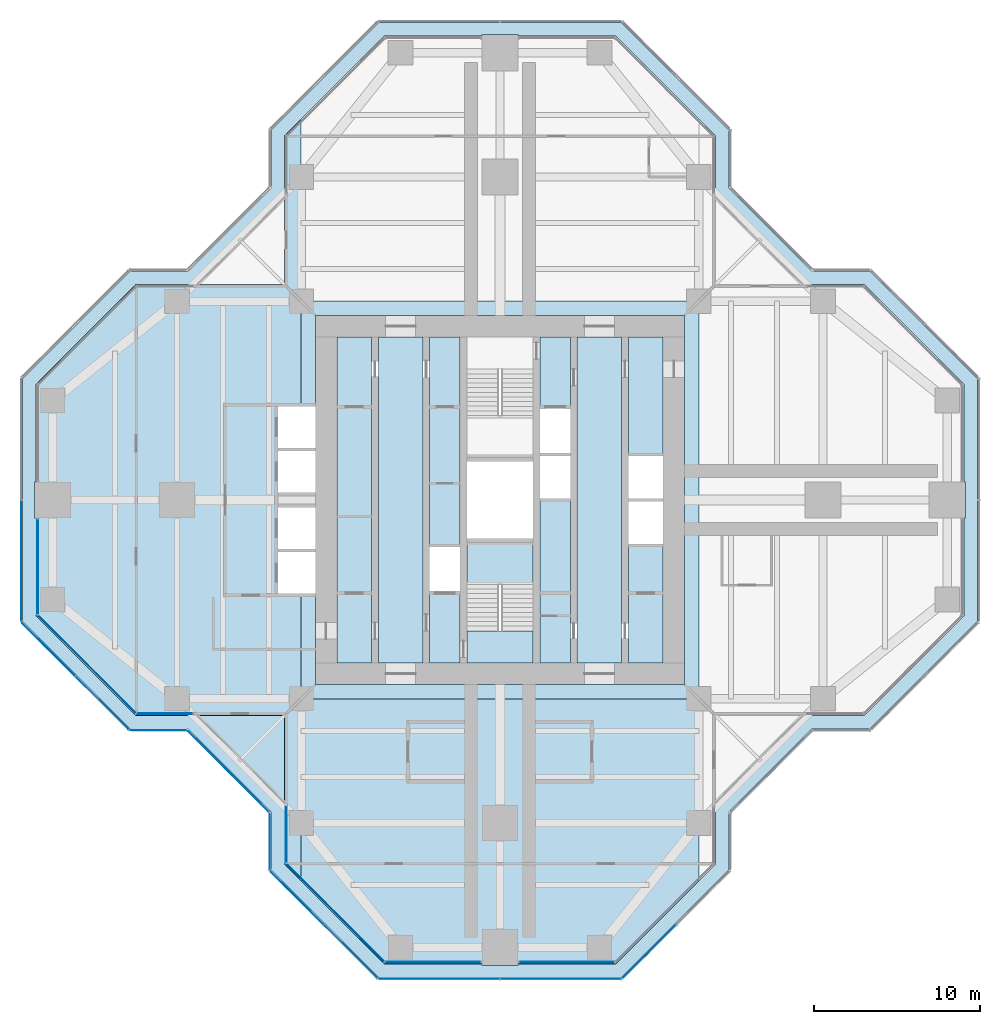
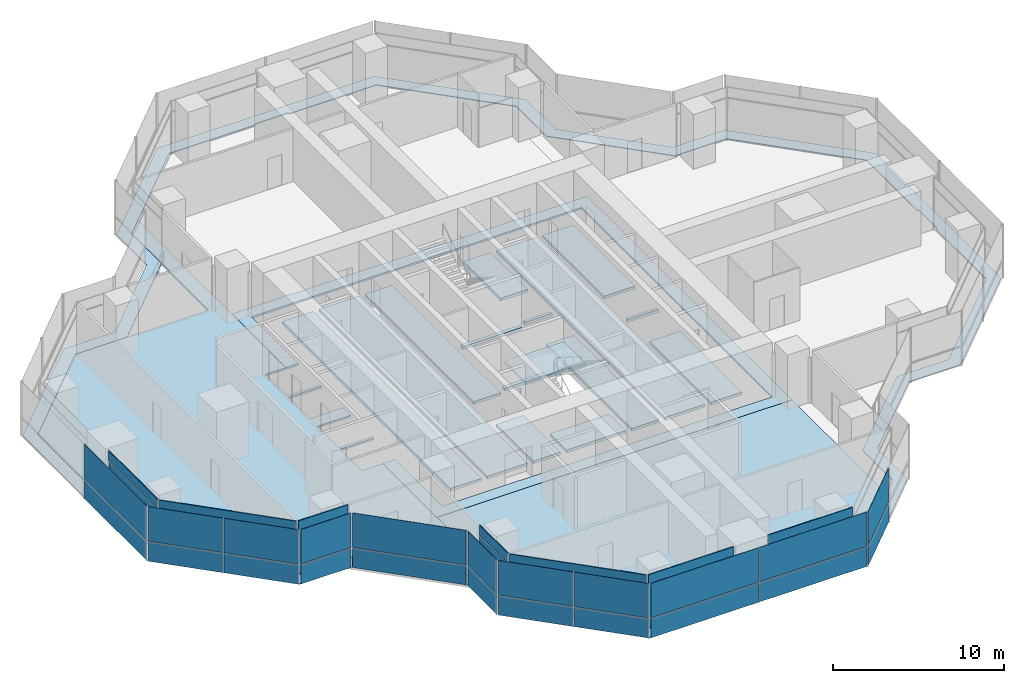
# One storey, part 10 of 17: 37 plates, 7 slabs, 16 elements without a shape of their own.
"""IFC4 building model written with IfcOpenShell, lengths in metres."""

from ifc_helpers import new_model, si_unit, direction, frame, origin, origin_2d, place, context, subcontext, project, spatial, polyline, rectangle, outline, extrude, material, layer, layer_set, type_object, element, aggregate, save


model = new_model("IFC4")

# Units and contexts
model_context = context("Model", 3, precision=1e-05, world=origin(), true_north=direction((0.0, 1.0)))
body_context = subcontext(model_context, "Body", "Model", "MODEL_VIEW")
ifc_project = project(units=[si_unit("LENGTHUNIT", "METRE"), si_unit("AREAUNIT", "SQUARE_METRE"), si_unit("VOLUMEUNIT", "CUBIC_METRE"), si_unit("PLANEANGLEUNIT", "RADIAN"), si_unit("MASSUNIT", "GRAM", prefix="KILO")], contexts=[model_context])

# Site, building, storey
site_placement = place(None, origin())
site = spatial("IfcSite", under=ifc_project, at=site_placement, CompositionType="ELEMENT")
building_placement = place(site_placement, origin())
building = spatial("IfcBuilding", under=site, at=building_placement, Name="Mizan Broadcast Tower", CompositionType="ELEMENT")
storey_placement = place(building_placement, frame((0.0, 0.0, 220.5)))
storey = spatial("IfcBuildingStorey", under=building, at=storey_placement, Name="L51", CompositionType="ELEMENT", Elevation=220.5)

# Plate
ifc_material_1 = material(Name="Aluminium grating", Category="aluminium")
ifc_layer_1 = layer(ifc_material_1, 0.050048828125)
ifc_layer_set_1 = layer_set([ifc_layer_1], Name="Aluminium grating")
plate_type_1 = type_object("IfcPlateType", Name="CAVITY GRATING", PredefinedType="USERDEFINED", material=ifc_layer_set_1)
plate_1_placement = place(storey_placement, frame((0.0, 0.0, -0.050048828125)))
element("IfcPlate", 1, at=plate_1_placement, inside=storey, type_object=plate_type_1, Name="Cavity grating L51", ObjectType="GRATING", PredefinedType="USERDEFINED", context=body_context, shape_type="SweptSolid", body=[
    extrude(outline(polyline([(13.820068359375, -18.839599609375), (18.839599609375, -13.820068359375), (22.339599609375, -13.820068359375), (28.820068359375, -7.339599609375), (28.820068359375, 7.339599609375), (22.339599609375, 13.820068359375), (18.839599609375, 13.820068359375), (13.820068359375, 18.839599609375), (13.820068359375, 22.339599609375), (7.339599609375, 28.820068359375), (-7.339599609375, 28.820068359375), (-13.820068359375, 22.339599609375), (-13.820068359375, 18.839599609375), (-18.839599609375, 13.820068359375), (-22.339599609375, 13.820068359375), (-28.820068359375, 7.339599609375), (-28.820068359375, -7.339599609375), (-22.339599609375, -13.820068359375), (-18.839599609375, -13.820068359375), (-13.820068359375, -18.839599609375), (-13.820068359375, -22.339599609375), (-7.339599609375, -28.820068359375), (7.339599609375, -28.820068359375), (13.820068359375, -22.339599609375), (13.820068359375, -18.839599609375)]), holes=[polyline([(28.0, -1.10009765625), (28.0, -7.0), (22.0, -13.0), (18.5, -13.0), (13.0, -18.5), (13.0, -22.0), (7.0, -28.0), (1.10009765625, -28.0), (1.10009765625, -28.10009765625), (-1.10009765625, -28.10009765625), (-1.10009765625, -28.0), (-7.0, -28.0), (-13.0, -22.0), (-13.0, -18.5), (-18.5, -13.0), (-22.0, -13.0), (-28.0, -7.0), (-28.0, -1.10009765625), (-28.10009765625, -1.10009765625), (-28.10009765625, 1.10009765625), (-28.0, 1.10009765625), (-28.0, 7.0), (-22.0, 13.0), (-18.5, 13.0), (-13.0, 18.5), (-13.0, 22.0), (-7.0, 28.0), (-1.10009765625, 28.0), (-1.10009765625, 28.10009765625), (1.10009765625, 28.10009765625), (1.10009765625, 28.0), (7.0, 28.0), (13.0, 22.0), (13.0, 18.5), (18.5, 13.0), (22.0, 13.0), (28.0, 7.0), (28.0, 1.10009765625), (28.10009765625, 1.10009765625), (28.10009765625, -1.10009765625), (28.0, -1.10009765625)])]), origin(), (0.0, 0.0, 1.0), 0.050048828125),
])

# Slabs
ifc_material_2 = material(Name="Concrete C32/40", Category="concrete")
ifc_layer_2 = layer(ifc_material_2, 0.1298828125)
ifc_layer_set_2 = layer_set([ifc_layer_2], Name="Concrete C32/40")
slab_type_1 = type_object("IfcSlabType", Name="COMPOSITE DECK SLAB 130", PredefinedType="FLOOR", material=ifc_layer_set_2)
slab_1_placement = place(storey_placement, frame((0.0, 0.0, -0.1298828125)))
element("IfcSlab", 2, at=slab_1_placement, inside=storey, type_object=slab_type_1, Name="Floor slab L51 centre", PredefinedType="FLOOR", context=body_context, shape_type="SweptSolid", body=[
    extrude(outline(polyline([(-11.14990234375, -5.64990234375), (-12.0, -5.64990234375), (-12.0, -12.0), (12.0, -12.0), (12.0, 12.0), (-12.0, 12.0), (-12.0, 5.64990234375), (-11.14990234375, 5.64990234375), (-11.14990234375, 11.14990234375), (11.14990234375, 11.14990234375), (11.14990234375, -11.14990234375), (-11.14990234375, -11.14990234375), (-11.14990234375, -5.64990234375)])), origin(), (0.0, 0.0, 1.0), 0.1298828125),
])
slab_2_placement = place(storey_placement, frame((0.0, 0.0, -0.1298828125)))
element("IfcSlab", 3, at=slab_2_placement, inside=storey, type_object=slab_type_1, Name="Floor slab L51 west arm", PredefinedType="FLOOR", context=body_context, shape_type="SweptSolid", body=[
    extrude(outline(polyline([(-22.0, 13.0), (-28.0, 7.0), (-28.0, -7.0), (-22.0, -13.0), (-13.0, -13.0), (-13.0, -22.0), (-12.0, -23.0), (-12.0, -5.64990234375), (-13.39990234375, -5.64990234375), (-13.39990234375, -3.14990234375), (-11.14990234375, -3.14990234375), (-11.14990234375, -2.949951171875), (-13.39990234375, -2.949951171875), (-13.39990234375, -0.449951171875), (-11.14990234375, -0.449951171875), (-11.14990234375, 0.449951171875), (-13.39990234375, 0.449951171875), (-13.39990234375, 2.949951171875), (-11.14990234375, 2.949951171875), (-11.14990234375, 3.14990234375), (-13.39990234375, 3.14990234375), (-13.39990234375, 5.64990234375), (-12.0, 5.64990234375), (-12.0, 23.0), (-13.0, 22.0), (-13.0, 13.0), (-22.0, 13.0)])), origin(), (0.0, 0.0, 1.0), 0.1298828125),
])
slab_3_placement = place(storey_placement, frame((0.0, 0.0, -0.1298828125)))
element("IfcSlab", 4, at=slab_3_placement, inside=storey, type_object=slab_type_1, Name="Floor slab L51 south arm", PredefinedType="FLOOR", context=body_context, shape_type="SweptSolid", body=[
    extrude(outline(polyline([(7.0, -28.0), (12.0, -23.0), (12.0, -12.0), (-12.0, -12.0), (-12.0, -23.0), (-7.0, -28.0), (7.0, -28.0)])), origin(), (0.0, 0.0, 1.0), 0.1298828125),
])
ifc_material_3 = material(Name="Concrete C40/50", Category="concrete")
ifc_layer_3 = layer(ifc_material_3, 0.199951171875)
ifc_layer_set_3 = layer_set([ifc_layer_3], Name="Concrete C40/50")
slab_type_2 = type_object("IfcSlabType", Name="CORE FLOOR 200", PredefinedType="FLOOR", material=ifc_layer_set_3)
slab_4_placement = place(storey_placement, frame((0.0, 0.0, -0.199951171875)))
element("IfcSlab", 5, at=slab_4_placement, inside=storey, type_object=slab_type_2, Name="Core floor L51", PredefinedType="FLOOR", context=body_context, shape_type="SweptSolid", body=[
    extrude(outline(polyline([(-9.85009765625, -9.85009765625), (-7.75, -9.85009765625), (-7.75, 9.85009765625), (-9.85009765625, 9.85009765625), (-9.85009765625, -9.85009765625)])), origin(), (0.0, 0.0, 1.0), 0.199951171875),
    extrude(outline(polyline([(-4.64990234375, 9.85009765625), (-7.35009765625, 9.85009765625), (-7.35009765625, -9.85009765625), (-4.64990234375, -9.85009765625), (-4.64990234375, 9.85009765625)])), origin(), (0.0, 0.0, 1.0), 0.199951171875),
    extrude(outline(polyline([(-4.25, -5.5), (-4.25, -9.85009765625), (-2.39990234375, -9.85009765625), (-2.39990234375, -5.5), (-4.25, -5.5)])), origin(), (0.0, 0.0, 1.0), 0.199951171875),
    extrude(outline(polyline([(-4.25, -2.85009765625), (-2.39990234375, -2.85009765625), (-2.39990234375, 9.85009765625), (-4.25, 9.85009765625), (-4.25, -2.85009765625)])), origin(), (0.0, 0.0, 1.0), 0.199951171875),
    extrude(outline(polyline([(2.0, -2.324951171875), (-2.0, -2.324951171875), (-2.0, -2.574951171875), (2.0, -2.574951171875), (2.0, -2.324951171875)])), origin(), (0.0, 0.0, 1.0), 0.199951171875),
    extrude(outline(polyline([(2.0, 2.574951171875), (-2.0, 2.574951171875), (-2.0, 2.324951171875), (2.0, 2.324951171875), (2.0, 2.574951171875)])), origin(), (0.0, 0.0, 1.0), 0.199951171875),
    extrude(outline(polyline([(4.25, -9.85009765625), (4.25, 0.10009765625), (2.39990234375, 0.10009765625), (2.39990234375, -9.85009765625), (4.25, -9.85009765625)])), origin(), (0.0, 0.0, 1.0), 0.199951171875),
    extrude(outline(polyline([(4.25, 2.64990234375), (4.25, 2.85009765625), (2.39990234375, 2.85009765625), (2.39990234375, 2.64990234375), (4.25, 2.64990234375)])), origin(), (0.0, 0.0, 1.0), 0.199951171875),
    extrude(outline(polyline([(4.25, 5.5), (4.25, 9.85009765625), (2.39990234375, 9.85009765625), (2.39990234375, 5.5), (4.25, 5.5)])), origin(), (0.0, 0.0, 1.0), 0.199951171875),
    extrude(outline(polyline([(4.64990234375, 9.85009765625), (4.64990234375, -9.85009765625), (7.35009765625, -9.85009765625), (7.35009765625, 9.85009765625), (4.64990234375, 9.85009765625)])), origin(), (0.0, 0.0, 1.0), 0.199951171875),
    extrude(outline(polyline([(9.85009765625, -9.85009765625), (9.85009765625, -2.64990234375), (7.75, -2.64990234375), (7.75, -9.85009765625), (9.85009765625, -9.85009765625)])), origin(), (0.0, 0.0, 1.0), 0.199951171875),
    extrude(outline(polyline([(9.85009765625, -0.10009765625), (9.85009765625, 0.10009765625), (7.75, 0.10009765625), (7.75, -0.10009765625), (9.85009765625, -0.10009765625)])), origin(), (0.0, 0.0, 1.0), 0.199951171875),
    extrude(outline(polyline([(7.75, 9.85009765625), (7.75, 2.64990234375), (9.85009765625, 2.64990234375), (9.85009765625, 9.85009765625), (7.75, 9.85009765625)])), origin(), (0.0, 0.0, 1.0), 0.199951171875),
])

# Curtain wall, plate
ifc_material_4 = material(Name="Aluminium framed glazing", Category="aluminium")
curtain_wall_type_1 = type_object("IfcCurtainWallType", Name="INNER SKIN HIGH ZONE", PredefinedType="USERDEFINED", material=ifc_material_4)
curtain_wall_1_placement = place(storey_placement, origin())
curtain_wall_1 = element("IfcCurtainWall", 6, at=curtain_wall_1_placement, inside=storey, type_object=curtain_wall_type_1, Name="Inner skin high zone L51 W end", ObjectType="INNER SKIN HIGH ZONE", PredefinedType="USERDEFINED")
ifc_material_5 = material(Name="Double glazing, clear low-e", Category="glass")
ifc_layer_4 = layer(ifc_material_5, 0.028076171875)
ifc_layer_set_4 = layer_set([ifc_layer_4], Name="Double glazing, clear low-e")
plate_type_2 = type_object("IfcPlateType", Name="INNER SKIN GLAZING UNIT", PredefinedType="CURTAIN_PANEL", material=ifc_layer_set_4)
plate_2_placement = place(storey_placement, frame((-27.89990234375, -4.029296875, 0.0), z_axis=(0.0, 0.0, 1.0), x_axis=(0.0, -1.0, 0.0)))
plate_2 = element("IfcPlate", 7, at=plate_2_placement, type_object=plate_type_2, Name="Inner skin high zone L51 W end panel 1.1", PredefinedType="CURTAIN_PANEL", context=body_context, shape_type="SweptSolid", body=[
    extrude(rectangle(XDim=5.738525390625, YDim=0.028076171875, at=origin_2d()), origin(), (0.0, 0.0, 1.0), 3.0),
])

curtain_wall_2_placement = place(storey_placement, origin())
curtain_wall_2 = element("IfcCurtainWall", 8, at=curtain_wall_2_placement, inside=storey, type_object=curtain_wall_type_1, Name="Inner skin high zone L51 W chamfer", ObjectType="INNER SKIN HIGH ZONE", PredefinedType="USERDEFINED")
plate_3_placement = place(storey_placement, frame((-24.92919921875, -9.92919921875, 0.0), z_axis=(0.0, 0.0, 1.0), x_axis=(0.707106781187, -0.707106781187, 0.0)))
plate_3 = element("IfcPlate", 9, at=plate_3_placement, type_object=plate_type_2, Name="Inner skin high zone L51 W chamfer panel 1.1", PredefinedType="CURTAIN_PANEL", context=body_context, shape_type="SweptSolid", body=[
    extrude(rectangle(XDim=8.282470703125, YDim=0.028076171875, at=origin_2d()), origin(), (0.0, 0.0, 1.0), 3.0),
])

curtain_wall_3_placement = place(storey_placement, origin())
curtain_wall_3 = element("IfcCurtainWall", 10, at=curtain_wall_3_placement, inside=storey, type_object=curtain_wall_type_1, Name="Inner skin high zone L51 W side", ObjectType="INNER SKIN HIGH ZONE", PredefinedType="USERDEFINED")
plate_4_placement = place(storey_placement, frame((-20.229248046875, -12.89990234375, 0.0), z_axis=(0.0, 0.0, 1.0), x_axis=(1.0, 0.0, 0.0)))
plate_4 = element("IfcPlate", 11, at=plate_4_placement, type_object=plate_type_2, Name="Inner skin high zone L51 W side panel 1.1", PredefinedType="CURTAIN_PANEL", context=body_context, shape_type="SweptSolid", body=[
    extrude(rectangle(XDim=3.338623046875, YDim=0.028076171875, at=origin_2d()), origin(), (0.0, 0.0, 1.0), 3.0),
])

curtain_wall_4_placement = place(storey_placement, origin())
curtain_wall_4 = element("IfcCurtainWall", 12, at=curtain_wall_4_placement, inside=storey, type_object=curtain_wall_type_1, Name="Inner skin high zone L51 S side", ObjectType="INNER SKIN HIGH ZONE", PredefinedType="USERDEFINED")
plate_5_placement = place(storey_placement, frame((-12.89990234375, -20.229248046875, 0.0), z_axis=(0.0, 0.0, 1.0), x_axis=(0.0, -1.0, 0.0)))
plate_5 = element("IfcPlate", 13, at=plate_5_placement, type_object=plate_type_2, Name="Inner skin high zone L51 S side panel 1.1", PredefinedType="CURTAIN_PANEL", context=body_context, shape_type="SweptSolid", body=[
    extrude(rectangle(XDim=3.338623046875, YDim=0.028076171875, at=origin_2d()), origin(), (0.0, 0.0, 1.0), 3.0),
])

curtain_wall_5_placement = place(storey_placement, origin())
curtain_wall_5 = element("IfcCurtainWall", 14, at=curtain_wall_5_placement, inside=storey, type_object=curtain_wall_type_1, Name="Inner skin high zone L51 S chamfer", ObjectType="INNER SKIN HIGH ZONE", PredefinedType="USERDEFINED")
plate_6_placement = place(storey_placement, frame((-9.92919921875, -24.92919921875, 0.0), z_axis=(0.0, 0.0, 1.0), x_axis=(0.707106781187, -0.707106781187, 0.0)))
plate_6 = element("IfcPlate", 15, at=plate_6_placement, type_object=plate_type_2, Name="Inner skin high zone L51 S chamfer panel 1.1", PredefinedType="CURTAIN_PANEL", context=body_context, shape_type="SweptSolid", body=[
    extrude(rectangle(XDim=8.282470703125, YDim=0.028076171875, at=origin_2d()), origin(), (0.0, 0.0, 1.0), 3.0),
])

curtain_wall_6_placement = place(storey_placement, origin())
curtain_wall_6 = element("IfcCurtainWall", 16, at=curtain_wall_6_placement, inside=storey, type_object=curtain_wall_type_1, Name="Inner skin high zone L51 S end", ObjectType="INNER SKIN HIGH ZONE", PredefinedType="USERDEFINED")
plate_7_placement = place(storey_placement, frame((-4.029296875, -27.89990234375, 0.0), z_axis=(0.0, 0.0, 1.0), x_axis=(1.0, 0.0, 0.0)))
plate_7 = element("IfcPlate", 17, at=plate_7_placement, type_object=plate_type_2, Name="Inner skin high zone L51 S end panel 1.1", PredefinedType="CURTAIN_PANEL", context=body_context, shape_type="SweptSolid", body=[
    extrude(rectangle(XDim=5.738525390625, YDim=0.028076171875, at=origin_2d()), origin(), (0.0, 0.0, 1.0), 3.0),
])

curtain_wall_7_placement = place(storey_placement, origin())
curtain_wall_7 = element("IfcCurtainWall", 18, at=curtain_wall_7_placement, inside=storey, type_object=curtain_wall_type_1, Name="Inner skin high zone L51 S end", ObjectType="INNER SKIN HIGH ZONE", PredefinedType="USERDEFINED")
plate_8_placement = place(storey_placement, frame((4.029296875, -27.89990234375, 0.0), z_axis=(0.0, 0.0, 1.0), x_axis=(1.0, 0.0, 0.0)))
plate_8 = element("IfcPlate", 19, at=plate_8_placement, type_object=plate_type_2, Name="Inner skin high zone L51 S end panel 1.1", PredefinedType="CURTAIN_PANEL", context=body_context, shape_type="SweptSolid", body=[
    extrude(rectangle(XDim=5.738525390625, YDim=0.028076171875, at=origin_2d()), origin(), (0.0, 0.0, 1.0), 3.0),
])

# Plate
ifc_material_6 = material(Name="Insulated aluminium spandrel panel, pale anodised", Category="aluminium")
ifc_layer_5 = layer(ifc_material_6, 0.050048828125)
ifc_layer_set_5 = layer_set([ifc_layer_5], Name="Insulated aluminium spandrel panel, pale anodised")
plate_type_3 = type_object("IfcPlateType", Name="INNER SKIN SPANDREL PANEL", PredefinedType="CURTAIN_PANEL", material=ifc_layer_set_5)
plate_9_placement = place(storey_placement, frame((-27.89990234375, -4.029296875, 3.06005859375), z_axis=(0.0, 0.0, 1.0), x_axis=(0.0, -1.0, 0.0)))
plate_9 = element("IfcPlate", 20, at=plate_9_placement, type_object=plate_type_3, Name="Inner skin high zone L51 W end panel 1.2", PredefinedType="CURTAIN_PANEL", context=body_context, shape_type="SweptSolid", body=[
    extrude(rectangle(XDim=5.738525390625, YDim=0.050048828125, at=origin_2d()), origin(), (0.0, 0.0, 1.0), 0.7099609375),
])

aggregate(curtain_wall_1, [plate_2, plate_9])

plate_10_placement = place(storey_placement, frame((-24.92919921875, -9.92919921875, 3.06005859375), z_axis=(0.0, 0.0, 1.0), x_axis=(0.707106781187, -0.707106781187, 0.0)))
plate_10 = element("IfcPlate", 21, at=plate_10_placement, type_object=plate_type_3, Name="Inner skin high zone L51 W chamfer panel 1.2", PredefinedType="CURTAIN_PANEL", context=body_context, shape_type="SweptSolid", body=[
    extrude(rectangle(XDim=8.282470703125, YDim=0.050048828125, at=origin_2d()), origin(), (0.0, 0.0, 1.0), 0.7099609375),
])

aggregate(curtain_wall_2, [plate_3, plate_10])

plate_11_placement = place(storey_placement, frame((-20.229248046875, -12.89990234375, 3.06005859375), z_axis=(0.0, 0.0, 1.0), x_axis=(1.0, 0.0, 0.0)))
plate_11 = element("IfcPlate", 22, at=plate_11_placement, type_object=plate_type_3, Name="Inner skin high zone L51 W side panel 1.2", PredefinedType="CURTAIN_PANEL", context=body_context, shape_type="SweptSolid", body=[
    extrude(rectangle(XDim=3.338623046875, YDim=0.050048828125, at=origin_2d()), origin(), (0.0, 0.0, 1.0), 0.7099609375),
])

aggregate(curtain_wall_3, [plate_4, plate_11])

plate_12_placement = place(storey_placement, frame((-12.89990234375, -20.229248046875, 3.06005859375), z_axis=(0.0, 0.0, 1.0), x_axis=(0.0, -1.0, 0.0)))
plate_12 = element("IfcPlate", 23, at=plate_12_placement, type_object=plate_type_3, Name="Inner skin high zone L51 S side panel 1.2", PredefinedType="CURTAIN_PANEL", context=body_context, shape_type="SweptSolid", body=[
    extrude(rectangle(XDim=3.338623046875, YDim=0.050048828125, at=origin_2d()), origin(), (0.0, 0.0, 1.0), 0.7099609375),
])

aggregate(curtain_wall_4, [plate_5, plate_12])

plate_13_placement = place(storey_placement, frame((-9.92919921875, -24.92919921875, 3.06005859375), z_axis=(0.0, 0.0, 1.0), x_axis=(0.707106781187, -0.707106781187, 0.0)))
plate_13 = element("IfcPlate", 24, at=plate_13_placement, type_object=plate_type_3, Name="Inner skin high zone L51 S chamfer panel 1.2", PredefinedType="CURTAIN_PANEL", context=body_context, shape_type="SweptSolid", body=[
    extrude(rectangle(XDim=8.282470703125, YDim=0.050048828125, at=origin_2d()), origin(), (0.0, 0.0, 1.0), 0.7099609375),
])

aggregate(curtain_wall_5, [plate_6, plate_13])

plate_14_placement = place(storey_placement, frame((-4.029296875, -27.89990234375, 3.06005859375), z_axis=(0.0, 0.0, 1.0), x_axis=(1.0, 0.0, 0.0)))
plate_14 = element("IfcPlate", 25, at=plate_14_placement, type_object=plate_type_3, Name="Inner skin high zone L51 S end panel 1.2", PredefinedType="CURTAIN_PANEL", context=body_context, shape_type="SweptSolid", body=[
    extrude(rectangle(XDim=5.738525390625, YDim=0.050048828125, at=origin_2d()), origin(), (0.0, 0.0, 1.0), 0.7099609375),
])

aggregate(curtain_wall_6, [plate_7, plate_14])

plate_15_placement = place(storey_placement, frame((4.029296875, -27.89990234375, 3.06005859375), z_axis=(0.0, 0.0, 1.0), x_axis=(1.0, 0.0, 0.0)))
plate_15 = element("IfcPlate", 26, at=plate_15_placement, type_object=plate_type_3, Name="Inner skin high zone L51 S end panel 1.2", PredefinedType="CURTAIN_PANEL", context=body_context, shape_type="SweptSolid", body=[
    extrude(rectangle(XDim=5.738525390625, YDim=0.050048828125, at=origin_2d()), origin(), (0.0, 0.0, 1.0), 0.7099609375),
])

aggregate(curtain_wall_7, [plate_8, plate_15])

# Curtain wall, plates
ifc_material_7 = material(Name="Aluminium framed glazing", Category="aluminium")
curtain_wall_type_2 = type_object("IfcCurtainWallType", Name="OUTER SKIN", PredefinedType="USERDEFINED", material=ifc_material_7)
curtain_wall_8_placement = place(storey_placement, origin())
curtain_wall_8 = element("IfcCurtainWall", 27, at=curtain_wall_8_placement, inside=storey, type_object=curtain_wall_type_2, Name="Outer skin L51 W chamfer", ObjectType="OUTER SKIN", PredefinedType="USERDEFINED")
ifc_material_8 = material(Name="Laminated clear glass", Category="glass")
ifc_layer_6 = layer(ifc_material_8, 0.02001953125)
ifc_layer_set_6 = layer_set([ifc_layer_6], Name="Laminated clear glass")
plate_type_4 = type_object("IfcPlateType", Name="OUTER SKIN CLEAR GLASS", PredefinedType="CURTAIN_PANEL", material=ifc_layer_set_6)
plate_16_placement = place(storey_placement, frame((-27.254150390625, -9.018798828125, 0.0), z_axis=(0.0, 0.0, 1.0), x_axis=(0.707106781187, -0.707106781187, 0.0)))
plate_16 = element("IfcPlate", 28, at=plate_16_placement, type_object=plate_type_4, Name="Outer skin L51 W chamfer panel 1.1", PredefinedType="CURTAIN_PANEL", context=body_context, shape_type="SweptSolid", body=[
    extrude(rectangle(XDim=4.495361328125, YDim=0.02001953125, at=origin_2d()), origin(), (0.0, 0.0, 1.0), 1.3701171875),
])
plate_17_placement = place(storey_placement, frame((-27.254150390625, -9.018798828125, 1.43017578125), z_axis=(0.0, 0.0, 1.0), x_axis=(0.707106781187, -0.707106781187, 0.0)))
plate_17 = element("IfcPlate", 29, at=plate_17_placement, type_object=plate_type_4, Name="Outer skin L51 W chamfer panel 1.2", PredefinedType="CURTAIN_PANEL", context=body_context, shape_type="SweptSolid", body=[
    extrude(rectangle(XDim=4.495361328125, YDim=0.02001953125, at=origin_2d()), origin(), (0.0, 0.0, 1.0), 2.469970703125),
])

curtain_wall_9_placement = place(storey_placement, origin())
curtain_wall_9 = element("IfcCurtainWall", 30, at=curtain_wall_9_placement, inside=storey, type_object=curtain_wall_type_2, Name="Outer skin L51 W side", ObjectType="OUTER SKIN", PredefinedType="USERDEFINED")
plate_18_placement = place(storey_placement, frame((-20.622802734375, -13.89990234375, 0.0), z_axis=(0.0, 0.0, 1.0), x_axis=(1.0, 0.0, 0.0)))
plate_18 = element("IfcPlate", 31, at=plate_18_placement, type_object=plate_type_4, Name="Outer skin L51 W side panel 1.1", PredefinedType="CURTAIN_PANEL", context=body_context, shape_type="SweptSolid", body=[
    extrude(rectangle(XDim=3.340087890625, YDim=0.02001953125, at=origin_2d()), origin(), (0.0, 0.0, 1.0), 1.3701171875),
])
plate_19_placement = place(storey_placement, frame((-20.622802734375, -13.89990234375, 1.43017578125), z_axis=(0.0, 0.0, 1.0), x_axis=(1.0, 0.0, 0.0)))
plate_19 = element("IfcPlate", 32, at=plate_19_placement, type_object=plate_type_4, Name="Outer skin L51 W side panel 1.2", PredefinedType="CURTAIN_PANEL", context=body_context, shape_type="SweptSolid", body=[
    extrude(rectangle(XDim=3.340087890625, YDim=0.02001953125, at=origin_2d()), origin(), (0.0, 0.0, 1.0), 2.469970703125),
])
aggregate(curtain_wall_9, [plate_18, plate_19])

curtain_wall_10_placement = place(storey_placement, origin())
curtain_wall_10 = element("IfcCurtainWall", 33, at=curtain_wall_10_placement, inside=storey, type_object=curtain_wall_type_2, Name="Outer skin L51 W chamfer", ObjectType="OUTER SKIN", PredefinedType="USERDEFINED")
plate_20_placement = place(storey_placement, frame((-16.386474609375, -16.386474609375, 0.0), z_axis=(0.0, 0.0, 1.0), x_axis=(0.707106781187, -0.707106781187, 0.0)))
plate_20 = element("IfcPlate", 34, at=plate_20_placement, type_object=plate_type_4, Name="Outer skin L51 W chamfer panel 1.1", PredefinedType="CURTAIN_PANEL", context=body_context, shape_type="SweptSolid", body=[
    extrude(rectangle(XDim=6.87255859375, YDim=0.02001953125, at=origin_2d()), origin(), (0.0, 0.0, 1.0), 1.3701171875),
])
plate_21_placement = place(storey_placement, frame((-16.386474609375, -16.386474609375, 1.43017578125), z_axis=(0.0, 0.0, 1.0), x_axis=(0.707106781187, -0.707106781187, 0.0)))
plate_21 = element("IfcPlate", 35, at=plate_21_placement, type_object=plate_type_4, Name="Outer skin L51 W chamfer panel 1.2", PredefinedType="CURTAIN_PANEL", context=body_context, shape_type="SweptSolid", body=[
    extrude(rectangle(XDim=6.87255859375, YDim=0.02001953125, at=origin_2d()), origin(), (0.0, 0.0, 1.0), 2.469970703125),
])
aggregate(curtain_wall_10, [plate_20, plate_21])

curtain_wall_11_placement = place(storey_placement, origin())
curtain_wall_11 = element("IfcCurtainWall", 36, at=curtain_wall_11_placement, inside=storey, type_object=curtain_wall_type_2, Name="Outer skin L51 S side", ObjectType="OUTER SKIN", PredefinedType="USERDEFINED")
plate_22_placement = place(storey_placement, frame((-13.89990234375, -20.622802734375, 0.0), z_axis=(0.0, 0.0, 1.0), x_axis=(0.0, -1.0, 0.0)))
plate_22 = element("IfcPlate", 37, at=plate_22_placement, type_object=plate_type_4, Name="Outer skin L51 S side panel 1.1", PredefinedType="CURTAIN_PANEL", context=body_context, shape_type="SweptSolid", body=[
    extrude(rectangle(XDim=3.340087890625, YDim=0.02001953125, at=origin_2d()), origin(), (0.0, 0.0, 1.0), 1.3701171875),
])
plate_23_placement = place(storey_placement, frame((-13.89990234375, -20.622802734375, 1.43017578125), z_axis=(0.0, 0.0, 1.0), x_axis=(0.0, -1.0, 0.0)))
plate_23 = element("IfcPlate", 38, at=plate_23_placement, type_object=plate_type_4, Name="Outer skin L51 S side panel 1.2", PredefinedType="CURTAIN_PANEL", context=body_context, shape_type="SweptSolid", body=[
    extrude(rectangle(XDim=3.340087890625, YDim=0.02001953125, at=origin_2d()), origin(), (0.0, 0.0, 1.0), 2.469970703125),
])
aggregate(curtain_wall_11, [plate_22, plate_23])

curtain_wall_12_placement = place(storey_placement, origin())
curtain_wall_12 = element("IfcCurtainWall", 39, at=curtain_wall_12_placement, inside=storey, type_object=curtain_wall_type_2, Name="Outer skin L51 S chamfer", ObjectType="OUTER SKIN", PredefinedType="USERDEFINED")
plate_24_placement = place(storey_placement, frame((-12.254150390625, -24.018798828125, 0.0), z_axis=(0.0, 0.0, 1.0), x_axis=(0.707106781187, -0.707106781187, 0.0)))
plate_24 = element("IfcPlate", 40, at=plate_24_placement, type_object=plate_type_4, Name="Outer skin L51 S chamfer panel 1.1", PredefinedType="CURTAIN_PANEL", context=body_context, shape_type="SweptSolid", body=[
    extrude(rectangle(XDim=4.495361328125, YDim=0.02001953125, at=origin_2d()), origin(), (0.0, 0.0, 1.0), 1.3701171875),
])
plate_25_placement = place(storey_placement, frame((-12.254150390625, -24.018798828125, 1.43017578125), z_axis=(0.0, 0.0, 1.0), x_axis=(0.707106781187, -0.707106781187, 0.0)))
plate_25 = element("IfcPlate", 41, at=plate_25_placement, type_object=plate_type_4, Name="Outer skin L51 S chamfer panel 1.2", PredefinedType="CURTAIN_PANEL", context=body_context, shape_type="SweptSolid", body=[
    extrude(rectangle(XDim=4.495361328125, YDim=0.02001953125, at=origin_2d()), origin(), (0.0, 0.0, 1.0), 2.469970703125),
])

curtain_wall_13_placement = place(storey_placement, origin())
curtain_wall_13 = element("IfcCurtainWall", 42, at=curtain_wall_13_placement, inside=storey, type_object=curtain_wall_type_2, Name="Outer skin L51 S end", ObjectType="OUTER SKIN", PredefinedType="USERDEFINED")
plate_26_placement = place(storey_placement, frame((-3.66650390625, -28.89990234375, 0.0), z_axis=(0.0, 0.0, 1.0), x_axis=(1.0, 0.0, 0.0)))
plate_26 = element("IfcPlate", 43, at=plate_26_placement, type_object=plate_type_4, Name="Outer skin L51 S end panel 1.1", PredefinedType="CURTAIN_PANEL", context=body_context, shape_type="SweptSolid", body=[
    extrude(rectangle(XDim=7.252685546875, YDim=0.02001953125, at=origin_2d()), origin(), (0.0, 0.0, 1.0), 1.3701171875),
])
plate_27_placement = place(storey_placement, frame((-3.66650390625, -28.89990234375, 1.43017578125), z_axis=(0.0, 0.0, 1.0), x_axis=(1.0, 0.0, 0.0)))
plate_27 = element("IfcPlate", 44, at=plate_27_placement, type_object=plate_type_4, Name="Outer skin L51 S end panel 1.2", PredefinedType="CURTAIN_PANEL", context=body_context, shape_type="SweptSolid", body=[
    extrude(rectangle(XDim=7.252685546875, YDim=0.02001953125, at=origin_2d()), origin(), (0.0, 0.0, 1.0), 2.469970703125),
])

curtain_wall_14_placement = place(storey_placement, origin())
curtain_wall_14 = element("IfcCurtainWall", 45, at=curtain_wall_14_placement, inside=storey, type_object=curtain_wall_type_2, Name="Outer skin L51 S chamfer", ObjectType="OUTER SKIN", PredefinedType="USERDEFINED")
plate_28_placement = place(storey_placement, frame((9.018798828125, -27.254150390625, 0.0), z_axis=(0.0, 0.0, 1.0), x_axis=(0.707106781187, 0.707106781187, 0.0)))
plate_28 = element("IfcPlate", 46, at=plate_28_placement, type_object=plate_type_4, Name="Outer skin L51 S chamfer panel 1.1", PredefinedType="CURTAIN_PANEL", context=body_context, shape_type="SweptSolid", body=[
    extrude(rectangle(XDim=4.495361328125, YDim=0.02001953125, at=origin_2d()), origin(), (0.0, 0.0, 1.0), 1.3701171875),
])
plate_29_placement = place(storey_placement, frame((9.018798828125, -27.254150390625, 1.43017578125), z_axis=(0.0, 0.0, 1.0), x_axis=(0.707106781187, 0.707106781187, 0.0)))
plate_29 = element("IfcPlate", 47, at=plate_29_placement, type_object=plate_type_4, Name="Outer skin L51 S chamfer panel 1.2", PredefinedType="CURTAIN_PANEL", context=body_context, shape_type="SweptSolid", body=[
    extrude(rectangle(XDim=4.495361328125, YDim=0.02001953125, at=origin_2d()), origin(), (0.0, 0.0, 1.0), 2.469970703125),
])
aggregate(curtain_wall_14, [plate_28, plate_29])

curtain_wall_15_placement = place(storey_placement, origin())
curtain_wall_15 = element("IfcCurtainWall", 48, at=curtain_wall_15_placement, inside=storey, type_object=curtain_wall_type_2, Name="Outer skin L51 W end", ObjectType="OUTER SKIN", PredefinedType="USERDEFINED")
ifc_material_9 = material(Name="Perforated aluminium, pale anodised", Category="aluminium")
ifc_layer_7 = layer(ifc_material_9, 0.011962890625)
ifc_layer_set_7 = layer_set([ifc_layer_7], Name="Perforated aluminium, pale anodised")
plate_type_5 = type_object("IfcPlateType", Name="OUTER SKIN PERFORATED SCREEN", PredefinedType="USERDEFINED", material=ifc_layer_set_7)
plate_30_placement = place(storey_placement, frame((-28.89990234375, -3.66650390625, 0.0), z_axis=(0.0, 0.0, 1.0), x_axis=(0.0, -1.0, 0.0)))
plate_30 = element("IfcPlate", 49, at=plate_30_placement, type_object=plate_type_5, Name="Outer skin L51 W end panel 2.1", ObjectType="SCREEN", PredefinedType="USERDEFINED", context=body_context, shape_type="SweptSolid", body=[
    extrude(rectangle(XDim=7.252685546875, YDim=0.011962890625, at=origin_2d()), origin(), (0.0, 0.0, 1.0), 1.3701171875),
])
plate_31_placement = place(storey_placement, frame((-28.89990234375, -3.66650390625, 1.43017578125), z_axis=(0.0, 0.0, 1.0), x_axis=(0.0, -1.0, 0.0)))
plate_31 = element("IfcPlate", 50, at=plate_31_placement, type_object=plate_type_5, Name="Outer skin L51 W end panel 2.2", ObjectType="SCREEN", PredefinedType="USERDEFINED", context=body_context, shape_type="SweptSolid", body=[
    extrude(rectangle(XDim=7.252685546875, YDim=0.011962890625, at=origin_2d()), origin(), (0.0, 0.0, 1.0), 2.469970703125),
])
aggregate(curtain_wall_15, [plate_30, plate_31])

# Plate
plate_32_placement = place(storey_placement, frame((-24.018798828125, -12.254150390625, 0.0), z_axis=(0.0, 0.0, 1.0), x_axis=(0.707106781187, -0.707106781187, 0.0)))
plate_32 = element("IfcPlate", 51, at=plate_32_placement, type_object=plate_type_5, Name="Outer skin L51 W chamfer panel 2.1", ObjectType="SCREEN", PredefinedType="USERDEFINED", context=body_context, shape_type="SweptSolid", body=[
    extrude(rectangle(XDim=4.495361328125, YDim=0.011962890625, at=origin_2d()), origin(), (0.0, 0.0, 1.0), 1.3701171875),
])

plate_33_placement = place(storey_placement, frame((-24.018798828125, -12.254150390625, 1.43017578125), z_axis=(0.0, 0.0, 1.0), x_axis=(0.707106781187, -0.707106781187, 0.0)))
plate_33 = element("IfcPlate", 52, at=plate_33_placement, type_object=plate_type_5, Name="Outer skin L51 W chamfer panel 2.2", ObjectType="SCREEN", PredefinedType="USERDEFINED", context=body_context, shape_type="SweptSolid", body=[
    extrude(rectangle(XDim=4.495361328125, YDim=0.011962890625, at=origin_2d()), origin(), (0.0, 0.0, 1.0), 2.469970703125),
])

aggregate(curtain_wall_8, [plate_16, plate_17, plate_32, plate_33])

plate_34_placement = place(storey_placement, frame((-9.018798828125, -27.254150390625, 0.0), z_axis=(0.0, 0.0, 1.0), x_axis=(0.707106781187, -0.707106781187, 0.0)))
plate_34 = element("IfcPlate", 53, at=plate_34_placement, type_object=plate_type_5, Name="Outer skin L51 S chamfer panel 2.1", ObjectType="SCREEN", PredefinedType="USERDEFINED", context=body_context, shape_type="SweptSolid", body=[
    extrude(rectangle(XDim=4.495361328125, YDim=0.011962890625, at=origin_2d()), origin(), (0.0, 0.0, 1.0), 1.3701171875),
])

plate_35_placement = place(storey_placement, frame((-9.018798828125, -27.254150390625, 1.43017578125), z_axis=(0.0, 0.0, 1.0), x_axis=(0.707106781187, -0.707106781187, 0.0)))
plate_35 = element("IfcPlate", 54, at=plate_35_placement, type_object=plate_type_5, Name="Outer skin L51 S chamfer panel 2.2", ObjectType="SCREEN", PredefinedType="USERDEFINED", context=body_context, shape_type="SweptSolid", body=[
    extrude(rectangle(XDim=4.495361328125, YDim=0.011962890625, at=origin_2d()), origin(), (0.0, 0.0, 1.0), 2.469970703125),
])

aggregate(curtain_wall_12, [plate_24, plate_25, plate_34, plate_35])

plate_36_placement = place(storey_placement, frame((3.66650390625, -28.89990234375, 0.0), z_axis=(0.0, 0.0, 1.0), x_axis=(1.0, 0.0, 0.0)))
plate_36 = element("IfcPlate", 55, at=plate_36_placement, type_object=plate_type_5, Name="Outer skin L51 S end panel 2.1", ObjectType="SCREEN", PredefinedType="USERDEFINED", context=body_context, shape_type="SweptSolid", body=[
    extrude(rectangle(XDim=7.252685546875, YDim=0.011962890625, at=origin_2d()), origin(), (0.0, 0.0, 1.0), 1.3701171875),
])

plate_37_placement = place(storey_placement, frame((3.66650390625, -28.89990234375, 1.43017578125), z_axis=(0.0, 0.0, 1.0), x_axis=(1.0, 0.0, 0.0)))
plate_37 = element("IfcPlate", 56, at=plate_37_placement, type_object=plate_type_5, Name="Outer skin L51 S end panel 2.2", ObjectType="SCREEN", PredefinedType="USERDEFINED", context=body_context, shape_type="SweptSolid", body=[
    extrude(rectangle(XDim=7.252685546875, YDim=0.011962890625, at=origin_2d()), origin(), (0.0, 0.0, 1.0), 2.469970703125),
])

aggregate(curtain_wall_13, [plate_26, plate_27, plate_36, plate_37])

# Stair, slabs
ifc_material_10 = material(Name="Concrete C40/50", Category="concrete")
stair_type = type_object("IfcStairType", Name="EXIT STAIR", PredefinedType="HALF_TURN_STAIR", material=ifc_material_10)
stair_placement = place(storey_placement, origin())
stair = element("IfcStair", 57, at=stair_placement, inside=storey, type_object=stair_type, Name="Stair A L51", PredefinedType="HALF_TURN_STAIR")
ifc_material_11 = material(Name="Concrete C40/50", Category="concrete")
ifc_layer_8 = layer(ifc_material_11, 0.199951171875)
ifc_layer_set_8 = layer_set([ifc_layer_8], Name="Concrete C40/50")
slab_type_3 = type_object("IfcSlabType", Name="STAIR LANDING 200", PredefinedType="LANDING", material=ifc_layer_set_8)
slab_5_placement = place(storey_placement, frame((0.0, 0.0, -0.199951171875)))
slab_5 = element("IfcSlab", 58, at=slab_5_placement, type_object=slab_type_3, Name="A landing 1", PredefinedType="LANDING", context=body_context, shape_type="SweptSolid", body=[
    extrude(outline(polyline([(-2.0, -9.85009765625), (-2.0, -7.89990234375), (2.0, -7.89990234375), (2.0, -9.85009765625), (-2.0, -9.85009765625)])), origin(), (0.0, 0.0, 1.0), 0.199951171875),
])
slab_6_placement = place(storey_placement, frame((0.0, 0.0, 1.75)))
slab_6 = element("IfcSlab", 59, at=slab_6_placement, type_object=slab_type_3, Name="A landing 2", PredefinedType="LANDING", context=body_context, shape_type="SweptSolid", body=[
    extrude(outline(polyline([(-2.0, -5.10009765625), (-2.0, -2.574951171875), (2.0, -2.574951171875), (2.0, -5.10009765625), (-2.0, -5.10009765625)])), origin(), (0.0, 0.0, 1.0), 0.199951171875),
])
aggregate(stair, [slab_5, slab_6])

# Slab
ifc_material_12 = material(Name="Concrete C32/40", Category="concrete")
ifc_layer_9 = layer(ifc_material_12, 0.1298828125)
ifc_layer_set_9 = layer_set([ifc_layer_9], Name="Concrete C32/40")
slab_type_4 = type_object("IfcSlabType", Name="WINTER GARDEN SLAB 130", PredefinedType="FLOOR", material=ifc_layer_set_9)
slab_7_placement = place(storey_placement, frame((0.0, 0.0, -0.1298828125)))
element("IfcSlab", 60, at=slab_7_placement, inside=storey, type_object=slab_type_4, Name="Winter garden slab L51 W", PredefinedType="FLOOR", context=body_context, shape_type="SweptSolid", body=[
    extrude(outline(polyline([(-13.0, -13.0), (-18.5, -13.0), (-13.0, -18.5), (-13.0, -13.0)])), origin(), (0.0, 0.0, 1.0), 0.1298828125),
])

save(model, "model.ifc")
